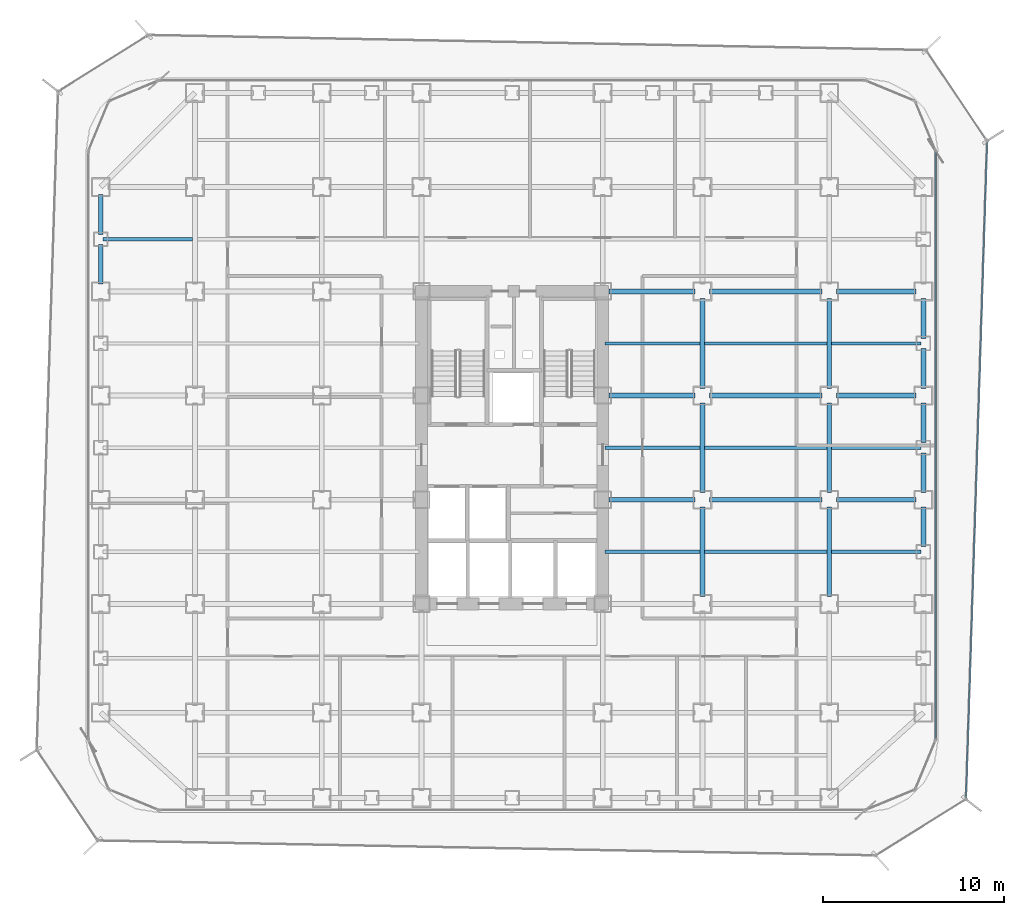
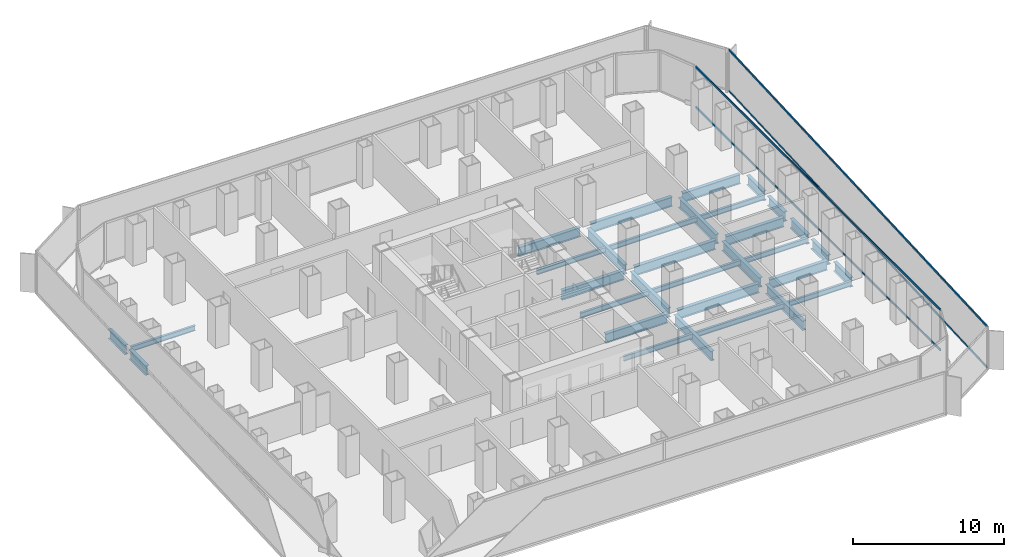
# One storey, part 9 of 22: 32 beams, 4 members, 2 elements without a shape of their own.
"""IFC4 building model written with IfcOpenShell, lengths in metres."""

from ifc_helpers import new_model, si_unit, direction, frame, origin, origin_2d, place, context, subcontext, project, spatial, hollow_rectangle, i_section, extrude, source, transform, mapped, material, layer, layer_set, material_profile, profile_set, type_object, element, aggregate, save


model = new_model("IFC4")

# Units and contexts
model_context = context("Model", 3, precision=1e-05, world=origin(), true_north=direction((0.0, 1.0)))
body_context = subcontext(model_context, "Body", "Model", "MODEL_VIEW")
ifc_project = project(units=[si_unit("LENGTHUNIT", "METRE"), si_unit("AREAUNIT", "SQUARE_METRE"), si_unit("VOLUMEUNIT", "CUBIC_METRE"), si_unit("PLANEANGLEUNIT", "RADIAN"), si_unit("MASSUNIT", "GRAM", prefix="KILO")], contexts=[model_context])

# Site, building, storey
site_placement = place(None, origin())
site = spatial("IfcSite", under=ifc_project, at=site_placement, CompositionType="ELEMENT")
building_placement = place(site_placement, origin())
building = spatial("IfcBuilding", under=site, at=building_placement, Name="Kolveth Station Tower", CompositionType="ELEMENT")
storey_placement = place(building_placement, frame((0.0, 0.0, 69.300048828125)))
storey = spatial("IfcBuildingStorey", under=building, at=storey_placement, Name="L18", CompositionType="ELEMENT", Elevation=69.300048828125)

# Beams
ifc_material_1 = material(Name="Steel S355", Category="steel")
ifc_material_profile_1 = material_profile(ifc_material_1, i_section(OverallWidth=0.26904296875, OverallDepth=0.77490234375, WebThickness=0.01708984375, FlangeThickness=0.0283203125, at=origin_2d()), Name="W760x220")
ifc_profile_set_1 = profile_set([ifc_material_profile_1], Name="Steel S355")
beam_type_1 = type_object("IfcBeamType", Name="Beam_SP1", PredefinedType="SPANDREL", material=ifc_profile_set_1)
shared_shape_1 = source(origin(), body_context, "Body", "SweptSolid", [
    extrude(i_section(OverallWidth=0.26904296875, OverallDepth=0.77490234375, WebThickness=0.01708984375, FlangeThickness=0.0283203125, at=origin_2d()), origin(), (0.0, 0.0, 1.0), 2.2001953125),
])
for number, where, z_axis, x_axis, name in (
    (1, (0.800048828125, 31.89990234375, -0.66748046875), (0.0, 1.0, 0.0), (-1.0, 0.0, 0.0), "L18 Perimeter Spandrel BM-L18-PW-10"),
    (2, (46.199951171875, 20.39990234375, -0.66748046875), (0.0, 1.0, 0.0), (-1.0, 0.0, 0.0), "L18 Perimeter Spandrel BM-L18-PE-6"),
    (3, (46.199951171875, 23.39990234375, -0.66748046875), (0.0, 1.0, 0.0), (-1.0, 0.0, 0.0), "L18 Perimeter Spandrel BM-L18-PE-7"),
):
    element("IfcBeam", number, at=place(storey_placement, frame(where, z_axis=z_axis, x_axis=x_axis)), inside=storey, type_object=beam_type_1, Name=name, PredefinedType="SPANDREL", context=body_context, shape_type="MappedRepresentation", body=[
        mapped(shared_shape_1, transform((0.0, 0.0, 0.0), x_axis=(1.0, 0.0, 0.0), y_axis=(0.0, 1.0, 0.0), z_axis=(0.0, 0.0, 1.0), scale=1.0)),
    ])
shared_shape_2 = source(origin(), body_context, "Body", "SweptSolid", [
    extrude(i_section(OverallWidth=0.26904296875, OverallDepth=0.77490234375, WebThickness=0.01708984375, FlangeThickness=0.0283203125, at=origin_2d()), origin(), (0.0, 0.0, 1.0), 2.190185546875),
])
for number, where, z_axis, x_axis, name in (
    (4, (0.800048828125, 29.14990234375, -0.66748046875), (0.0, 1.0, 0.0), (-1.0, 0.0, 0.0), "L18 Perimeter Spandrel BM-L18-PW-9"),
    (5, (46.199951171875, 14.659912109375, -0.66748046875), (0.0, 1.0, 0.0), (-1.0, 0.0, 0.0), "L18 Perimeter Spandrel BM-L18-PE-4"),
    (6, (46.199951171875, 17.64990234375, -0.66748046875), (0.0, 1.0, 0.0), (-1.0, 0.0, 0.0), "L18 Perimeter Spandrel BM-L18-PE-5"),
    (7, (46.199951171875, 26.159912109375, -0.66748046875), (0.0, 1.0, 0.0), (-1.0, 0.0, 0.0), "L18 Perimeter Spandrel BM-L18-PE-8"),
):
    element("IfcBeam", number, at=place(storey_placement, frame(where, z_axis=z_axis, x_axis=x_axis)), inside=storey, type_object=beam_type_1, Name=name, PredefinedType="SPANDREL", context=body_context, shape_type="MappedRepresentation", body=[
        mapped(shared_shape_2, transform((0.0, 0.0, 0.0), x_axis=(1.0, 0.0, 0.0), y_axis=(0.0, 1.0, 0.0), z_axis=(0.0, 0.0, 1.0), scale=1.0)),
    ])
ifc_material_profile_2 = material_profile(ifc_material_1, i_section(OverallWidth=0.26708984375, OverallDepth=0.76611328125, WebThickness=0.014892578125, FlangeThickness=0.023681640625, at=origin_2d()), Name="W760x185")
ifc_profile_set_2 = profile_set([ifc_material_profile_2], Name="Steel S355")
beam_type_2 = type_object("IfcBeamType", Name="Beam_B3", PredefinedType="BEAM", material=ifc_profile_set_2)
shared_shape_3 = source(origin(), body_context, "Body", "SweptSolid", [
    extrude(i_section(OverallWidth=0.26708984375, OverallDepth=0.76611328125, WebThickness=0.014892578125, FlangeThickness=0.023681640625, at=origin_2d()), origin(), (0.0, 0.0, 1.0), 4.400146484375),
])
for number, where, z_axis, x_axis, name in (
    (8, (41.39990234375, 17.25, -0.6630859375), (1.0, 0.0, 0.0), (0.0, 1.0, 0.0), "L18 Primary Girder BM-L18-GY172-7"),
    (9, (41.39990234375, 23.0, -0.6630859375), (1.0, 0.0, 0.0), (0.0, 1.0, 0.0), "L18 Primary Girder BM-L18-GY230-7"),
    (10, (41.39990234375, 28.75, -0.6630859375), (1.0, 0.0, 0.0), (0.0, 1.0, 0.0), "L18 Primary Girder BM-L18-GY287-7"),
):
    element("IfcBeam", number, at=place(storey_placement, frame(where, z_axis=z_axis, x_axis=x_axis)), inside=storey, type_object=beam_type_2, Name=name, PredefinedType="BEAM", context=body_context, shape_type="MappedRepresentation", body=[
        mapped(shared_shape_3, transform((0.0, 0.0, 0.0), x_axis=(1.0, 0.0, 0.0), y_axis=(0.0, 1.0, 0.0), z_axis=(0.0, 0.0, 1.0), scale=1.0)),
    ])
shared_shape_4 = source(origin(), body_context, "Body", "SweptSolid", [
    extrude(i_section(OverallWidth=0.26708984375, OverallDepth=0.76611328125, WebThickness=0.014892578125, FlangeThickness=0.023681640625, at=origin_2d()), origin(), (0.0, 0.0, 1.0), 6.2001953125),
])
for number, where, z_axis, x_axis, name in (
    (11, (34.39990234375, 17.25, -0.6630859375), (1.0, 0.0, 0.0), (0.0, 1.0, 0.0), "L18 Primary Girder BM-L18-GY172-6"),
    (12, (34.39990234375, 23.0, -0.6630859375), (1.0, 0.0, 0.0), (0.0, 1.0, 0.0), "L18 Primary Girder BM-L18-GY230-6"),
    (13, (34.39990234375, 28.75, -0.6630859375), (1.0, 0.0, 0.0), (0.0, 1.0, 0.0), "L18 Primary Girder BM-L18-GY287-6"),
):
    element("IfcBeam", number, at=place(storey_placement, frame(where, z_axis=z_axis, x_axis=x_axis)), inside=storey, type_object=beam_type_2, Name=name, PredefinedType="BEAM", context=body_context, shape_type="MappedRepresentation", body=[
        mapped(shared_shape_4, transform((0.0, 0.0, 0.0), x_axis=(1.0, 0.0, 0.0), y_axis=(0.0, 1.0, 0.0), z_axis=(0.0, 0.0, 1.0), scale=1.0)),
    ])
shared_shape_5 = source(origin(), body_context, "Body", "SweptSolid", [
    extrude(i_section(OverallWidth=0.26708984375, OverallDepth=0.76611328125, WebThickness=0.014892578125, FlangeThickness=0.023681640625, at=origin_2d()), origin(), (0.0, 0.0, 1.0), 4.739990234375),
])
for number, where, z_axis, x_axis, name in (
    (14, (28.860107421875, 17.25, -0.6630859375), (1.0, 0.0, 0.0), (0.0, 1.0, 0.0), "L18 Primary Girder BM-L18-GY172-5"),
    (15, (28.860107421875, 23.0, -0.6630859375), (1.0, 0.0, 0.0), (0.0, 1.0, 0.0), "L18 Primary Girder BM-L18-GY230-5"),
    (16, (28.860107421875, 28.75, -0.6630859375), (1.0, 0.0, 0.0), (0.0, 1.0, 0.0), "L18 Primary Girder BM-L18-GY287-5"),
):
    element("IfcBeam", number, at=place(storey_placement, frame(where, z_axis=z_axis, x_axis=x_axis)), inside=storey, type_object=beam_type_2, Name=name, PredefinedType="BEAM", context=body_context, shape_type="MappedRepresentation", body=[
        mapped(shared_shape_5, transform((0.0, 0.0, 0.0), x_axis=(1.0, 0.0, 0.0), y_axis=(0.0, 1.0, 0.0), z_axis=(0.0, 0.0, 1.0), scale=1.0)),
    ])
shared_shape_6 = source(origin(), body_context, "Body", "SweptSolid", [
    extrude(i_section(OverallWidth=0.26708984375, OverallDepth=0.76611328125, WebThickness=0.014892578125, FlangeThickness=0.023681640625, at=origin_2d()), origin(), (0.0, 0.0, 1.0), 4.9501953125),
])
for number, where, z_axis, x_axis, name in (
    (17, (34.0, 11.89990234375, -0.6630859375), (0.0, 1.0, 0.0), (-1.0, 0.0, 0.0), "L18 Primary Girder BM-L18-GX340-3"),
    (18, (34.0, 17.64990234375, -0.6630859375), (0.0, 1.0, 0.0), (-1.0, 0.0, 0.0), "L18 Primary Girder BM-L18-GX340-4"),
    (19, (34.0, 23.39990234375, -0.6630859375), (0.0, 1.0, 0.0), (-1.0, 0.0, 0.0), "L18 Primary Girder BM-L18-GX340-5"),
    (20, (41.0, 11.89990234375, -0.6630859375), (0.0, 1.0, 0.0), (-1.0, 0.0, 0.0), "L18 Primary Girder BM-L18-GX410-3"),
    (21, (41.0, 17.64990234375, -0.6630859375), (0.0, 1.0, 0.0), (-1.0, 0.0, 0.0), "L18 Primary Girder BM-L18-GX410-4"),
    (22, (41.0, 23.39990234375, -0.6630859375), (0.0, 1.0, 0.0), (-1.0, 0.0, 0.0), "L18 Primary Girder BM-L18-GX410-5"),
):
    element("IfcBeam", number, at=place(storey_placement, frame(where, z_axis=z_axis, x_axis=x_axis)), inside=storey, type_object=beam_type_2, Name=name, PredefinedType="BEAM", context=body_context, shape_type="MappedRepresentation", body=[
        mapped(shared_shape_6, transform((0.0, 0.0, 0.0), x_axis=(1.0, 0.0, 0.0), y_axis=(0.0, 1.0, 0.0), z_axis=(0.0, 0.0, 1.0), scale=1.0)),
    ])
ifc_material_profile_3 = material_profile(ifc_material_1, i_section(OverallWidth=0.177978515625, OverallDepth=0.406982421875, WebThickness=0.0078125, FlangeThickness=0.0126953125, at=origin_2d()), Name="W410x60")
ifc_profile_set_3 = profile_set([ifc_material_profile_3], Name="Steel S355")
beam_type_3 = type_object("IfcBeamType", Name="Beam_J1", PredefinedType="JOIST", material=ifc_profile_set_3)
shared_shape_7 = source(origin(), body_context, "Body", "SweptSolid", [
    extrude(i_section(OverallWidth=0.177978515625, OverallDepth=0.406982421875, WebThickness=0.0078125, FlangeThickness=0.0126953125, at=origin_2d()), origin(), (0.0, 0.0, 1.0), 4.935791015625),
])
for number, where, z_axis, x_axis, name in (
    (23, (0.9326171875, 31.625, -0.483642578125), (1.0, 0.0, 0.0), (0.0, 1.0, 0.0), "L18 Secondary Joist JST-L18-1-6"),
    (24, (41.131591796875, 14.375, -0.483642578125), (1.0, 0.0, 0.0), (0.0, 1.0, 0.0), "L18 Secondary Joist JST-L18-7-3"),
    (25, (41.131591796875, 20.125, -0.483642578125), (1.0, 0.0, 0.0), (0.0, 1.0, 0.0), "L18 Secondary Joist JST-L18-7-4"),
    (26, (41.131591796875, 25.875, -0.483642578125), (1.0, 0.0, 0.0), (0.0, 1.0, 0.0), "L18 Secondary Joist JST-L18-7-5"),
):
    element("IfcBeam", number, at=place(storey_placement, frame(where, z_axis=z_axis, x_axis=x_axis)), inside=storey, type_object=beam_type_3, Name=name, PredefinedType="JOIST", context=body_context, shape_type="MappedRepresentation", body=[
        mapped(shared_shape_7, transform((0.0, 0.0, 0.0), x_axis=(1.0, 0.0, 0.0), y_axis=(0.0, 1.0, 0.0), z_axis=(0.0, 0.0, 1.0), scale=1.0)),
    ])
shared_shape_8 = source(origin(), body_context, "Body", "SweptSolid", [
    extrude(i_section(OverallWidth=0.177978515625, OverallDepth=0.406982421875, WebThickness=0.0078125, FlangeThickness=0.0126953125, at=origin_2d()), origin(), (0.0, 0.0, 1.0), 6.73681640625),
])
for number, where, z_axis, x_axis, name in (
    (27, (34.131591796875, 14.375, -0.483642578125), (1.0, 0.0, 0.0), (0.0, 1.0, 0.0), "L18 Secondary Joist JST-L18-6-3"),
    (28, (34.131591796875, 20.125, -0.483642578125), (1.0, 0.0, 0.0), (0.0, 1.0, 0.0), "L18 Secondary Joist JST-L18-6-4"),
    (29, (34.131591796875, 25.875, -0.483642578125), (1.0, 0.0, 0.0), (0.0, 1.0, 0.0), "L18 Secondary Joist JST-L18-6-5"),
):
    element("IfcBeam", number, at=place(storey_placement, frame(where, z_axis=z_axis, x_axis=x_axis)), inside=storey, type_object=beam_type_3, Name=name, PredefinedType="JOIST", context=body_context, shape_type="MappedRepresentation", body=[
        mapped(shared_shape_8, transform((0.0, 0.0, 0.0), x_axis=(1.0, 0.0, 0.0), y_axis=(0.0, 1.0, 0.0), z_axis=(0.0, 0.0, 1.0), scale=1.0)),
    ])
shared_shape_9 = source(origin(), body_context, "Body", "SweptSolid", [
    extrude(i_section(OverallWidth=0.177978515625, OverallDepth=0.406982421875, WebThickness=0.0078125, FlangeThickness=0.0126953125, at=origin_2d()), origin(), (0.0, 0.0, 1.0), 5.23681640625),
])
for number, where, z_axis, x_axis, name in (
    (30, (28.631591796875, 14.375, -0.483642578125), (1.0, 0.0, 0.0), (0.0, 1.0, 0.0), "L18 Secondary Joist JST-L18-5-3"),
    (31, (28.631591796875, 20.125, -0.483642578125), (1.0, 0.0, 0.0), (0.0, 1.0, 0.0), "L18 Secondary Joist JST-L18-5-4"),
    (32, (28.631591796875, 25.875, -0.483642578125), (1.0, 0.0, 0.0), (0.0, 1.0, 0.0), "L18 Secondary Joist JST-L18-5-5"),
):
    element("IfcBeam", number, at=place(storey_placement, frame(where, z_axis=z_axis, x_axis=x_axis)), inside=storey, type_object=beam_type_3, Name=name, PredefinedType="JOIST", context=body_context, shape_type="MappedRepresentation", body=[
        mapped(shared_shape_9, transform((0.0, 0.0, 0.0), x_axis=(1.0, 0.0, 0.0), y_axis=(0.0, 1.0, 0.0), z_axis=(0.0, 0.0, 1.0), scale=1.0)),
    ])

# Curtain wall, members
ifc_material_2 = material(Name="Aluminium 6063-T6 and low-E dark glass", Category="aluminium")
ifc_layer_1 = layer(ifc_material_2, 0.179931640625)
ifc_layer_set_1 = layer_set([ifc_layer_1], Name="Aluminium 6063-T6 and low-E dark glass")
curtain_wall_type_1 = type_object("IfcCurtainWallType", Name="CurtainWall_CW-Z1", PredefinedType="NOTDEFINED", material=ifc_layer_set_1)
curtain_wall_1_placement = place(storey_placement, origin())
curtain_wall_1 = element("IfcCurtainWall", 33, at=curtain_wall_1_placement, inside=storey, type_object=curtain_wall_type_1, Name="L18 Inner Thermal Curtain Wall 3", PredefinedType="NOTDEFINED")
ifc_material_3 = material(Name="Black anodized aluminium 6063-T6", Category="aluminium")
ifc_material_profile_4 = material_profile(ifc_material_3, hollow_rectangle(XDim=0.074951171875, YDim=0.159912109375, WallThickness=0.0048828125, at=origin_2d()), Name="ALU-75x160x5")
ifc_profile_set_4 = profile_set([ifc_material_profile_4], Name="Black anodized aluminium 6063-T6")
member_type_1 = type_object("IfcMemberType", Name="Transom_TR1", PredefinedType="USERDEFINED", material=ifc_profile_set_4)
shared_shape_10 = source(origin(), body_context, "Body", "SweptSolid", [
    extrude(hollow_rectangle(XDim=0.074951171875, YDim=0.159912109375, WallThickness=0.0048828125, at=origin_2d()), origin(), (0.0, 0.0, 1.0), 32.35009765625),
])
member_1_placement = place(storey_placement, frame((46.8798828125, 4.074951171875, 0.037353515625), z_axis=(0.0, 1.0, 0.0), x_axis=(-1.0, 0.0, 0.0)))
member_1 = element("IfcMember", 34, at=member_1_placement, type_object=member_type_1, Name="CW-Z1 transom 1.1", ObjectType="TRANSOM", PredefinedType="USERDEFINED", context=body_context, shape_type="MappedRepresentation", body=[
    mapped(shared_shape_10, transform((0.0, 0.0, 0.0), x_axis=(1.0, 0.0, 0.0), y_axis=(0.0, 1.0, 0.0), z_axis=(0.0, 0.0, 1.0), scale=1.0)),
])
member_2_placement = place(storey_placement, frame((46.8798828125, 4.074951171875, 3.282470703125), z_axis=(0.0, 1.0, 0.0), x_axis=(-1.0, 0.0, 0.0)))
member_2 = element("IfcMember", 35, at=member_2_placement, type_object=member_type_1, Name="CW-Z1 transom 1.2", ObjectType="TRANSOM", PredefinedType="USERDEFINED", context=body_context, shape_type="MappedRepresentation", body=[
    mapped(shared_shape_10, transform((0.0, 0.0, 0.0), x_axis=(1.0, 0.0, 0.0), y_axis=(0.0, 1.0, 0.0), z_axis=(0.0, 0.0, 1.0), scale=1.0)),
])
aggregate(curtain_wall_1, [member_1, member_2])

ifc_material_4 = material(Name="Black anodized aluminium 6063-T6 and dark solar glass", Category="aluminium")
ifc_layer_2 = layer(ifc_material_4, 0.159912109375)
ifc_layer_set_2 = layer_set([ifc_layer_2], Name="Black anodized aluminium 6063-T6 and dark solar glass")
curtain_wall_type_2 = type_object("IfcCurtainWallType", Name="OUTER SKIN CW-OS", PredefinedType="NOTDEFINED", material=ifc_layer_set_2)
curtain_wall_2_placement = place(storey_placement, origin())
curtain_wall_2 = element("IfcCurtainWall", 36, at=curtain_wall_2_placement, inside=storey, type_object=curtain_wall_type_2, Name="L18 Outer Ventilated Skin Curtain Wall 2", PredefinedType="NOTDEFINED")
ifc_material_profile_5 = material_profile(ifc_material_3, hollow_rectangle(XDim=0.080078125, YDim=0.14990234375, WallThickness=0.0048828125, at=origin_2d()), Name="ALU-80x150x5")
ifc_profile_set_5 = profile_set([ifc_material_profile_5], Name="Black anodized aluminium 6063-T6")
member_type_2 = type_object("IfcMemberType", Name="Transom_TR-OS", PredefinedType="USERDEFINED", material=ifc_profile_set_5)
shared_shape_11 = source(origin(), body_context, "Body", "SweptSolid", [
    extrude(hollow_rectangle(XDim=0.080078125, YDim=0.14990234375, WallThickness=0.0048828125, at=origin_2d()), origin(), (0.0, 0.0, 1.0), 36.165771484375),
])
member_3_placement = place(storey_placement, frame((48.5537109375, 0.8134765625, 0.0400390625), z_axis=(0.032099026182, 0.999484693489, 0.0), x_axis=(-0.999484693489, 0.032099026182, 0.0)))
member_3 = element("IfcMember", 37, at=member_3_placement, type_object=member_type_2, Name="CW-OS transom 1.1", ObjectType="TRANSOM", PredefinedType="USERDEFINED", context=body_context, shape_type="MappedRepresentation", body=[
    mapped(shared_shape_11, transform((0.0, 0.0, 0.0), x_axis=(1.0, 0.0, 0.0), y_axis=(0.0, 1.0, 0.0), z_axis=(0.0, 0.0, 1.0), scale=1.0)),
])
member_4_placement = place(storey_placement, frame((48.5537109375, 0.8134765625, 3.349853515625), z_axis=(0.032099026182, 0.999484693489, 0.0), x_axis=(-0.999484693489, 0.032099026182, 0.0)))
member_4 = element("IfcMember", 38, at=member_4_placement, type_object=member_type_2, Name="CW-OS transom 1.2", ObjectType="TRANSOM", PredefinedType="USERDEFINED", context=body_context, shape_type="MappedRepresentation", body=[
    mapped(shared_shape_11, transform((0.0, 0.0, 0.0), x_axis=(1.0, 0.0, 0.0), y_axis=(0.0, 1.0, 0.0), z_axis=(0.0, 0.0, 1.0), scale=1.0)),
])
aggregate(curtain_wall_2, [member_3, member_4])

save(model, "model.ifc")
